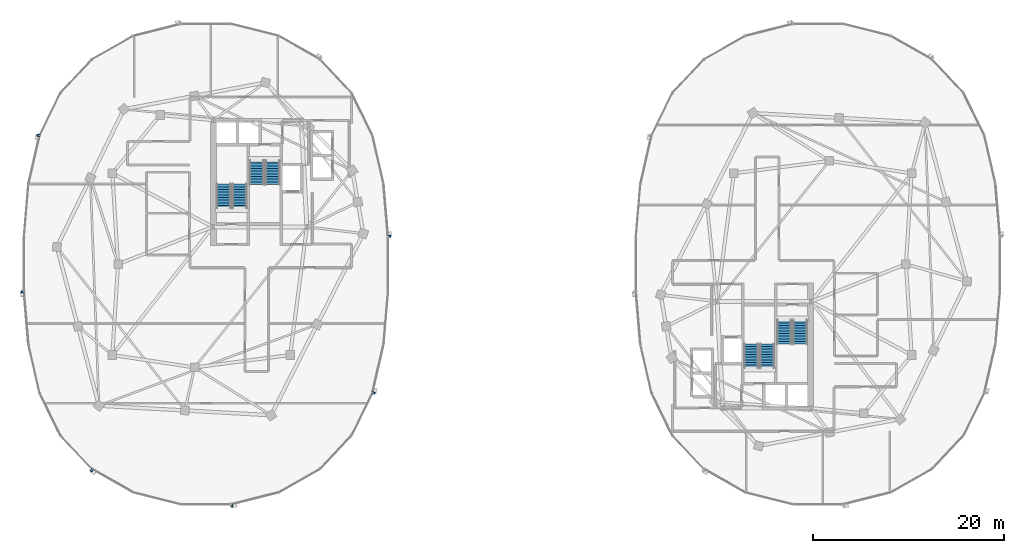
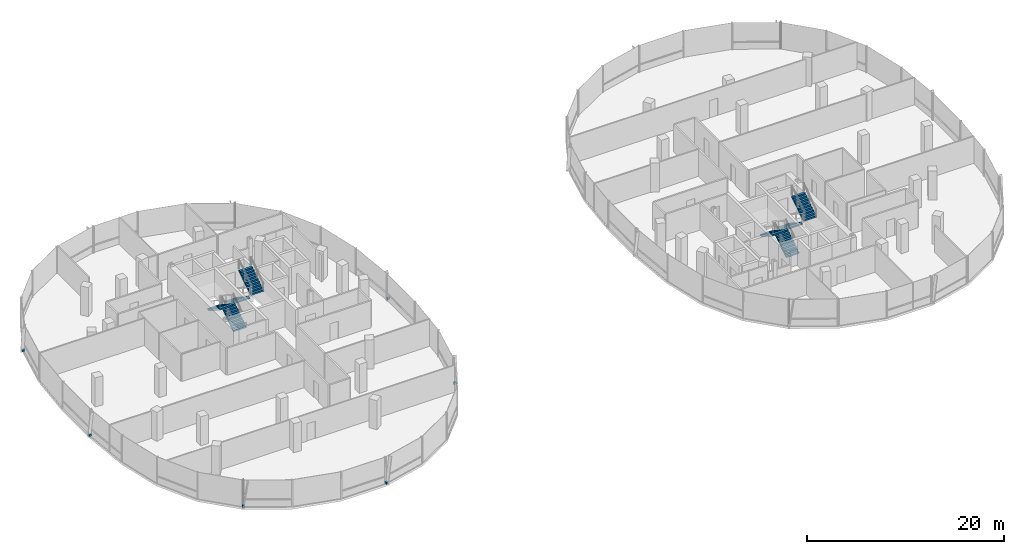
# One storey, part 18 of 25: 8 stair flights, 6 discrete accessories, 4 elements without a shape of their own.
"""IFC4 building model written with IfcOpenShell, lengths in metres."""

import ifcopenshell
import ifcopenshell.guid

model = None  # the IFC model being written
_history = None  # IfcOwnerHistory: only IFC2X3 demands one
_inside = {}  # id of a spatial element -> (the spatial element, [elements in it])
_under = {}  # id of a project, library or spatial element -> (it, [spatial elements below it])
_declared = {}  # id of a project -> (the project, [libraries it declares])
_typed = {}  # id of a type object -> (the type object, [elements of that type])
_made_of = {}  # id of a material, layer set ... -> (it, [elements and type objects made of it])


def new_model(schema):
    """Start an empty IFC model of exactly this schema.

    Asked for "IFC4X3", IfcOpenShell would pick the latest addendum, in which some entities
    have other attributes; the version numbers below select the first issue.
    IFC2X3 requires an IfcOwnerHistory on every rooted entity: one is made here for all.
    """
    global model, _history
    if schema == "IFC4X3":
        model = ifcopenshell.file(schema_version=(4, 3, 0, 0))
    else:
        model = ifcopenshell.file(schema=schema)
    _inside.clear()
    _under.clear()
    _declared.clear()
    _typed.clear()
    _made_of.clear()
    _history = None
    if model.schema == "IFC2X3":
        org = make("IfcOrganization", Name="unknown")
        user = make(
            "IfcPersonAndOrganization",
            ThePerson=make("IfcPerson", FamilyName="unknown"),
            TheOrganization=org,
        )
        app = make(
            "IfcApplication",
            ApplicationDeveloper=org,
            Version="unknown",
            ApplicationFullName="unknown",
            ApplicationIdentifier="unknown",
        )
        _history = make(
            "IfcOwnerHistory",
            OwningUser=user,
            OwningApplication=app,
            ChangeAction="ADDED",
            CreationDate=0,
        )
    return model


def make(cls, **values):
    """One entity of the class cls with the attributes given. An attribute that is None is left unset."""
    return model.create_entity(
        cls, **{name: value for name, value in values.items() if value is not None}
    )


def rooted(cls, **values):
    """An entity with a GlobalId (a new one), such as an element, a storey or a relation."""
    return make(cls, GlobalId=ifcopenshell.guid.new(), OwnerHistory=_history, **values)


def si_unit(unit_type, name, prefix=None):
    """IfcSIUnit, for example si_unit("LENGTHUNIT", "METRE", prefix="MILLI")."""
    return make("IfcSIUnit", UnitType=unit_type, Prefix=prefix, Name=name)


def assignment(units):
    """IfcUnitAssignment: the units of a project."""
    return None if units is None else make("IfcUnitAssignment", Units=units)


def point(xyz):
    """IfcCartesianPoint."""
    return None if xyz is None else make("IfcCartesianPoint", Coordinates=xyz)


def direction(xyz):
    """IfcDirection."""
    return None if xyz is None else make("IfcDirection", DirectionRatios=xyz)


def frame(location, z_axis=None, x_axis=None):
    """IfcAxis2Placement3D, a coordinate frame: its origin and axes. An axis left out is left unset."""
    return make(
        "IfcAxis2Placement3D",
        Location=point(location),
        Axis=direction(z_axis),
        RefDirection=direction(x_axis),
    )


def frame_2d(location, x_axis=None):
    """IfcAxis2Placement2D, a coordinate frame in the plane: its origin and x axis."""
    return make(
        "IfcAxis2Placement2D", Location=point(location), RefDirection=direction(x_axis)
    )


def origin():
    """The frame at (0, 0, 0) with its axes left unset."""
    return frame((0.0, 0.0, 0.0))


def origin_2d():
    """The frame at (0, 0) in the plane with its x axis left unset."""
    return frame_2d((0.0, 0.0))


def place(relative_to, where):
    """IfcLocalPlacement: puts the frame where relative to a parent placement (None: the world)."""
    return make(
        "IfcLocalPlacement", PlacementRelTo=relative_to, RelativePlacement=where
    )


def context(
    kind, dimensions, precision=None, world=None, true_north=None, identifier=None
):
    """IfcGeometricRepresentationContext, for example the 3D "Model" context."""
    return make(
        "IfcGeometricRepresentationContext",
        ContextIdentifier=identifier,
        ContextType=kind,
        CoordinateSpaceDimension=dimensions,
        Precision=precision,
        WorldCoordinateSystem=world,
        TrueNorth=true_north,
    )


def subcontext(parent, identifier, kind, view, scale=None):
    """IfcGeometricRepresentationSubContext, for example "Body" below "Model"."""
    return make(
        "IfcGeometricRepresentationSubContext",
        ContextIdentifier=identifier,
        ContextType=kind,
        ParentContext=parent,
        TargetScale=scale,
        TargetView=view,
    )


def project(units=None, contexts=None):
    """IfcProject with its units and contexts."""
    return rooted(
        "IfcProject",
        Name="project",
        RepresentationContexts=contexts,
        UnitsInContext=assignment(units),
    )


def spatial(cls, under=None, at=None, **own):
    """A site, building, storey or space (cls), placed at a placement, below another one or the project."""
    s = rooted(cls, ObjectPlacement=at, **own)
    if under is not None:
        _under.setdefault(under.id(), (under, []))[1].append(s)
    return s


def polyline(points):
    """IfcPolyline through the points."""
    return make("IfcPolyline", Points=[point(p) for p in points])


def profile(cls, at=None, kind="AREA", **sizes):
    """A parametric profile (cls). Its sizes go by their IFC names, for example OverallWidth=200.0."""
    return make(cls, ProfileType=kind, Position=at, **sizes)


def rectangle(**sizes):
    """IfcRectangleProfileDef."""
    return profile("IfcRectangleProfileDef", **sizes)


def outline(outer, holes=None, kind="AREA"):
    """IfcArbitraryClosedProfileDef: a profile drawn as a closed curve; with holes, ...WithVoids."""
    if holes is None:
        return make("IfcArbitraryClosedProfileDef", ProfileType=kind, OuterCurve=outer)
    return make(
        "IfcArbitraryProfileDefWithVoids",
        ProfileType=kind,
        OuterCurve=outer,
        InnerCurves=holes,
    )


def extrude(swept, where, along, depth):
    """IfcExtrudedAreaSolid: the profile swept, set in the frame where, extruded along a direction by depth."""
    return make(
        "IfcExtrudedAreaSolid",
        SweptArea=swept,
        Position=where,
        ExtrudedDirection=direction(along),
        Depth=depth,
    )


def shape(context_of_items, identifier, shape_type, items):
    """IfcShapeRepresentation: the items that make up one representation, for example the "Body"."""
    return make(
        "IfcShapeRepresentation",
        ContextOfItems=context_of_items,
        RepresentationIdentifier=identifier,
        RepresentationType=shape_type,
        Items=items,
    )


def material(Name=None, Category=None):
    """IfcMaterial."""
    return make("IfcMaterial", Name=Name, Category=Category)


def made_of(thing, what):
    """Note that an element or type object is made of a material, layer set ...; save() writes the relation."""
    if what is not None:
        _made_of.setdefault(what.id(), (what, []))[1].append(thing)
    return thing


def type_object(cls, material=None, **own):
    """A type object (cls), such as IfcWallType, which elements share."""
    return made_of(rooted(cls, **own), material)


def element(
    cls,
    number,
    at=None,
    inside=None,
    cuts=None,
    type_object=None,
    material=None,
    context=None,
    identifier="Body",
    shape_type=None,
    held_by="IfcProductDefinitionShape",
    body=None,
    shapes=None,
    **own,
):
    """One element of the class cls, such as IfcWall. Its Tag is "e" and its number.

    at: its placement. inside: the storey or other place that contains it. cuts: it is an
    opening in that element (IfcRelVoidsElement). A single representation is given by context,
    identifier, shape_type and body (its items); several are given by shapes. held_by: the class
    of the entity that holds the representations. save() writes the other relations.
    """
    e = rooted(cls, Tag="e%d" % number, ObjectPlacement=at, **own)
    if body is not None:
        shapes = [shape(context, identifier, shape_type, body)]
    if shapes is not None:
        e.Representation = make(held_by, Representations=shapes)
    if inside is not None:
        _inside.setdefault(inside.id(), (inside, []))[1].append(e)
    if cuts is not None:
        rooted(
            "IfcRelVoidsElement", RelatingBuildingElement=cuts, RelatedOpeningElement=e
        )
    if type_object is not None:
        _typed.setdefault(type_object.id(), (type_object, []))[1].append(e)
    return made_of(e, material)


def aggregate(whole, parts):
    """IfcRelAggregates: a whole, such as a stair, and the parts it consists of."""
    return rooted("IfcRelAggregates", RelatingObject=whole, RelatedObjects=parts)


def save(model, path):
    """Write the relations noted so far, then the file.

    IfcRelAggregates (storeys below a building ...), IfcRelContainedInSpatialStructure (elements
    in a storey), IfcRelDefinesByType, IfcRelAssociatesMaterial and IfcRelDeclares: one each for
    every whole, place, type object, material and project.
    """
    for whole, parts in _under.values():
        aggregate(whole, parts)
    for where, things in _inside.values():
        rooted(
            "IfcRelContainedInSpatialStructure",
            RelatedElements=things,
            RelatingStructure=where,
        )
    for kind, things in _typed.values():
        rooted("IfcRelDefinesByType", RelatedObjects=things, RelatingType=kind)
    for what, things in _made_of.values():
        rooted("IfcRelAssociatesMaterial", RelatedObjects=things, RelatingMaterial=what)
    for by, libraries in _declared.values():
        rooted("IfcRelDeclares", RelatingContext=by, RelatedDefinitions=libraries)
    model.write(path)


model = new_model("IFC4")

# Units and contexts
model_context = context("Model", 3, precision=1e-05, world=origin(), true_north=direction((0.0, 1.0)))
body_context = subcontext(model_context, "Body", "Model", "MODEL_VIEW")
ifc_project = project(units=[si_unit("LENGTHUNIT", "METRE"), si_unit("AREAUNIT", "SQUARE_METRE"), si_unit("VOLUMEUNIT", "CUBIC_METRE"), si_unit("PLANEANGLEUNIT", "RADIAN"), si_unit("MASSUNIT", "GRAM", prefix="KILO"), si_unit("THERMODYNAMICTEMPERATUREUNIT", "KELVIN"), si_unit("POWERUNIT", "WATT")], contexts=[model_context])

# Site, building, storey
site_placement = place(None, origin())
site = spatial("IfcSite", under=ifc_project, at=site_placement, CompositionType="ELEMENT")
building_placement = place(site_placement, origin())
building = spatial("IfcBuilding", under=site, at=building_placement, Name="Cundina Bronze Exchange", CompositionType="ELEMENT")
storey_placement = place(building_placement, frame((0.0, 0.0, 224.199951171875)))
storey = spatial("IfcBuildingStorey", under=building, at=storey_placement, Name="L59", CompositionType="ELEMENT", Elevation=224.199951171875)

# Stair, stair flights
ifc_material_1 = material(Name="Concrete C40/50", Category="concrete")
stair_type = type_object("IfcStairType", Name="STR-OFF-360", PredefinedType="HALF_TURN_STAIR", material=ifc_material_1)
stair_1_placement = place(storey_placement, origin())
stair_1 = element("IfcStair", 1, at=stair_1_placement, inside=storey, type_object=stair_type, Name="L59 Smokeproof Exit Stair W1", PredefinedType="HALF_TURN_STAIR")
stair_flight_type = type_object("IfcStairFlightType", Name="FLG-OFF-180", PredefinedType="STRAIGHT", material=ifc_material_1)
stair_flight_1_placement = place(storey_placement, frame((-28.489990234375, 5.85009765625, 0.0), z_axis=(0.0, 0.0, 1.0), x_axis=(0.0, 1.0, 0.0)))
stair_flight_1 = element("IfcStairFlight", 2, at=stair_flight_1_placement, type_object=stair_flight_type, Name="ST-W1 flight 1", NumberOfRisers=10, NumberOfTreads=9, PredefinedType="STRAIGHT", RiserHeight=0.18, TreadLength=0.28, context=body_context, shape_type="SweptSolid", body=[
    extrude(outline(polyline([(0.0, 0.0), (0.0, 0.179931640625), (0.280029296875, 0.179931640625), (0.280029296875, 0.360107421875), (0.56005859375, 0.360107421875), (0.56005859375, 0.5400390625), (0.840087890625, 0.5400390625), (0.840087890625, 0.719970703125), (1.1201171875, 0.719970703125), (1.1201171875, 0.89990234375), (1.39990234375, 0.89990234375), (1.39990234375, 1.080078125), (1.679931640625, 1.080078125), (1.679931640625, 1.260009765625), (1.9599609375, 1.260009765625), (1.9599609375, 1.43994140625), (2.239990234375, 1.43994140625), (2.239990234375, 1.6201171875), (2.52001953125, 1.6201171875), (2.52001953125, 1.800048828125), (2.52001953125, 1.44189453125), (0.277099609375, 0.0), (0.0, 0.0)])), frame((0.0, 0.75, 0.0), z_axis=(0.0, -1.0, 0.0), x_axis=(1.0, 0.0, 0.0)), (0.0, 0.0, 1.0), 1.5),
])
stair_flight_2_placement = place(storey_placement, frame((-30.14990234375, 8.3701171875, 1.800048828125), z_axis=(0.0, 0.0, 1.0), x_axis=(0.0, -1.0, 0.0)))
stair_flight_2 = element("IfcStairFlight", 3, at=stair_flight_2_placement, type_object=stair_flight_type, Name="ST-W1 flight 2", NumberOfRisers=10, NumberOfTreads=9, PredefinedType="STRAIGHT", RiserHeight=0.18, TreadLength=0.28, context=body_context, shape_type="SweptSolid", body=[
    extrude(outline(polyline([(0.0, 0.0), (0.0, 0.179931640625), (0.280029296875, 0.179931640625), (0.280029296875, 0.360107421875), (0.56005859375, 0.360107421875), (0.56005859375, 0.5400390625), (0.840087890625, 0.5400390625), (0.840087890625, 0.719970703125), (1.1201171875, 0.719970703125), (1.1201171875, 0.89990234375), (1.39990234375, 0.89990234375), (1.39990234375, 1.080078125), (1.679931640625, 1.080078125), (1.679931640625, 1.260009765625), (1.9599609375, 1.260009765625), (1.9599609375, 1.43994140625), (2.239990234375, 1.43994140625), (2.239990234375, 1.6201171875), (2.52001953125, 1.6201171875), (2.52001953125, 1.800048828125), (2.52001953125, 1.44189453125), (0.277099609375, 0.0), (0.0, 0.0)])), frame((0.0, 0.75, 0.0), z_axis=(0.0, -1.0, 0.0), x_axis=(1.0, 0.0, 0.0)), (0.0, 0.0, 1.0), 1.5),
])
aggregate(stair_1, [stair_flight_1, stair_flight_2])

stair_2_placement = place(storey_placement, origin())
stair_2 = element("IfcStair", 4, at=stair_2_placement, inside=storey, type_object=stair_type, Name="L59 Smokeproof Exit Stair W2", PredefinedType="HALF_TURN_STAIR")
stair_flight_3_placement = place(storey_placement, frame((-26.68994140625, 10.85009765625, 0.0), z_axis=(0.0, 0.0, 1.0), x_axis=(0.0, -1.0, 0.0)))
stair_flight_3 = element("IfcStairFlight", 5, at=stair_flight_3_placement, type_object=stair_flight_type, Name="ST-W2 flight 1", NumberOfRisers=10, NumberOfTreads=9, PredefinedType="STRAIGHT", RiserHeight=0.18, TreadLength=0.28, context=body_context, shape_type="SweptSolid", body=[
    extrude(outline(polyline([(0.0, 0.0), (0.0, 0.179931640625), (0.280029296875, 0.179931640625), (0.280029296875, 0.360107421875), (0.56005859375, 0.360107421875), (0.56005859375, 0.5400390625), (0.840087890625, 0.5400390625), (0.840087890625, 0.719970703125), (1.1201171875, 0.719970703125), (1.1201171875, 0.89990234375), (1.39990234375, 0.89990234375), (1.39990234375, 1.080078125), (1.679931640625, 1.080078125), (1.679931640625, 1.260009765625), (1.9599609375, 1.260009765625), (1.9599609375, 1.43994140625), (2.239990234375, 1.43994140625), (2.239990234375, 1.6201171875), (2.52001953125, 1.6201171875), (2.52001953125, 1.800048828125), (2.52001953125, 1.44189453125), (0.277099609375, 0.0), (0.0, 0.0)])), frame((0.0, 0.75, 0.0), z_axis=(0.0, -1.0, 0.0), x_axis=(1.0, 0.0, 0.0)), (0.0, 0.0, 1.0), 1.5),
])
stair_flight_4_placement = place(storey_placement, frame((-25.030029296875, 8.330078125, 1.800048828125), z_axis=(0.0, 0.0, 1.0), x_axis=(0.0, 1.0, 0.0)))
stair_flight_4 = element("IfcStairFlight", 6, at=stair_flight_4_placement, type_object=stair_flight_type, Name="ST-W2 flight 2", NumberOfRisers=10, NumberOfTreads=9, PredefinedType="STRAIGHT", RiserHeight=0.18, TreadLength=0.28, context=body_context, shape_type="SweptSolid", body=[
    extrude(outline(polyline([(0.0, 0.0), (0.0, 0.179931640625), (0.280029296875, 0.179931640625), (0.280029296875, 0.360107421875), (0.56005859375, 0.360107421875), (0.56005859375, 0.5400390625), (0.840087890625, 0.5400390625), (0.840087890625, 0.719970703125), (1.1201171875, 0.719970703125), (1.1201171875, 0.89990234375), (1.39990234375, 0.89990234375), (1.39990234375, 1.080078125), (1.679931640625, 1.080078125), (1.679931640625, 1.260009765625), (1.9599609375, 1.260009765625), (1.9599609375, 1.43994140625), (2.239990234375, 1.43994140625), (2.239990234375, 1.6201171875), (2.52001953125, 1.6201171875), (2.52001953125, 1.800048828125), (2.52001953125, 1.44189453125), (0.277099609375, 0.0), (0.0, 0.0)])), frame((0.0, 0.75, 0.0), z_axis=(0.0, -1.0, 0.0), x_axis=(1.0, 0.0, 0.0)), (0.0, 0.0, 1.0), 1.5),
])
aggregate(stair_2, [stair_flight_3, stair_flight_4])

stair_3_placement = place(storey_placement, origin())
stair_3 = element("IfcStair", 7, at=stair_3_placement, inside=storey, type_object=stair_type, Name="L59 Smokeproof Exit Stair E1", PredefinedType="HALF_TURN_STAIR")
stair_flight_5_placement = place(storey_placement, frame((28.489990234375, -5.85009765625, 0.0), z_axis=(0.0, 0.0, 1.0), x_axis=(0.0, -1.0, 0.0)))
stair_flight_5 = element("IfcStairFlight", 8, at=stair_flight_5_placement, type_object=stair_flight_type, Name="ST-E1 flight 1", NumberOfRisers=10, NumberOfTreads=9, PredefinedType="STRAIGHT", RiserHeight=0.18, TreadLength=0.28, context=body_context, shape_type="SweptSolid", body=[
    extrude(outline(polyline([(0.0, 0.0), (0.0, 0.179931640625), (0.280029296875, 0.179931640625), (0.280029296875, 0.360107421875), (0.56005859375, 0.360107421875), (0.56005859375, 0.5400390625), (0.840087890625, 0.5400390625), (0.840087890625, 0.719970703125), (1.1201171875, 0.719970703125), (1.1201171875, 0.89990234375), (1.39990234375, 0.89990234375), (1.39990234375, 1.080078125), (1.679931640625, 1.080078125), (1.679931640625, 1.260009765625), (1.9599609375, 1.260009765625), (1.9599609375, 1.43994140625), (2.239990234375, 1.43994140625), (2.239990234375, 1.6201171875), (2.52001953125, 1.6201171875), (2.52001953125, 1.800048828125), (2.52001953125, 1.44189453125), (0.277099609375, 0.0), (0.0, 0.0)])), frame((0.0, 0.75, 0.0), z_axis=(0.0, -1.0, 0.0), x_axis=(1.0, 0.0, 0.0)), (0.0, 0.0, 1.0), 1.5),
])
stair_flight_6_placement = place(storey_placement, frame((30.14990234375, -8.3701171875, 1.800048828125), z_axis=(0.0, 0.0, 1.0), x_axis=(0.0, 1.0, 0.0)))
stair_flight_6 = element("IfcStairFlight", 9, at=stair_flight_6_placement, type_object=stair_flight_type, Name="ST-E1 flight 2", NumberOfRisers=10, NumberOfTreads=9, PredefinedType="STRAIGHT", RiserHeight=0.18, TreadLength=0.28, context=body_context, shape_type="SweptSolid", body=[
    extrude(outline(polyline([(0.0, 0.0), (0.0, 0.179931640625), (0.280029296875, 0.179931640625), (0.280029296875, 0.360107421875), (0.56005859375, 0.360107421875), (0.56005859375, 0.5400390625), (0.840087890625, 0.5400390625), (0.840087890625, 0.719970703125), (1.1201171875, 0.719970703125), (1.1201171875, 0.89990234375), (1.39990234375, 0.89990234375), (1.39990234375, 1.080078125), (1.679931640625, 1.080078125), (1.679931640625, 1.260009765625), (1.9599609375, 1.260009765625), (1.9599609375, 1.43994140625), (2.239990234375, 1.43994140625), (2.239990234375, 1.6201171875), (2.52001953125, 1.6201171875), (2.52001953125, 1.800048828125), (2.52001953125, 1.44189453125), (0.277099609375, 0.0), (0.0, 0.0)])), frame((0.0, 0.75, 0.0), z_axis=(0.0, -1.0, 0.0), x_axis=(1.0, 0.0, 0.0)), (0.0, 0.0, 1.0), 1.5),
])
aggregate(stair_3, [stair_flight_5, stair_flight_6])

stair_4_placement = place(storey_placement, origin())
stair_4 = element("IfcStair", 10, at=stair_4_placement, inside=storey, type_object=stair_type, Name="L59 Smokeproof Exit Stair E2", PredefinedType="HALF_TURN_STAIR")
stair_flight_7_placement = place(storey_placement, frame((26.68994140625, -10.85009765625, 0.0), z_axis=(0.0, 0.0, 1.0), x_axis=(0.0, 1.0, 0.0)))
stair_flight_7 = element("IfcStairFlight", 11, at=stair_flight_7_placement, type_object=stair_flight_type, Name="ST-E2 flight 1", NumberOfRisers=10, NumberOfTreads=9, PredefinedType="STRAIGHT", RiserHeight=0.18, TreadLength=0.28, context=body_context, shape_type="SweptSolid", body=[
    extrude(outline(polyline([(0.0, 0.0), (0.0, 0.179931640625), (0.280029296875, 0.179931640625), (0.280029296875, 0.360107421875), (0.56005859375, 0.360107421875), (0.56005859375, 0.5400390625), (0.840087890625, 0.5400390625), (0.840087890625, 0.719970703125), (1.1201171875, 0.719970703125), (1.1201171875, 0.89990234375), (1.39990234375, 0.89990234375), (1.39990234375, 1.080078125), (1.679931640625, 1.080078125), (1.679931640625, 1.260009765625), (1.9599609375, 1.260009765625), (1.9599609375, 1.43994140625), (2.239990234375, 1.43994140625), (2.239990234375, 1.6201171875), (2.52001953125, 1.6201171875), (2.52001953125, 1.800048828125), (2.52001953125, 1.44189453125), (0.277099609375, 0.0), (0.0, 0.0)])), frame((0.0, 0.75, 0.0), z_axis=(0.0, -1.0, 0.0), x_axis=(1.0, 0.0, 0.0)), (0.0, 0.0, 1.0), 1.5),
])
stair_flight_8_placement = place(storey_placement, frame((25.030029296875, -8.330078125, 1.800048828125), z_axis=(0.0, 0.0, 1.0), x_axis=(0.0, -1.0, 0.0)))
stair_flight_8 = element("IfcStairFlight", 12, at=stair_flight_8_placement, type_object=stair_flight_type, Name="ST-E2 flight 2", NumberOfRisers=10, NumberOfTreads=9, PredefinedType="STRAIGHT", RiserHeight=0.18, TreadLength=0.28, context=body_context, shape_type="SweptSolid", body=[
    extrude(outline(polyline([(0.0, 0.0), (0.0, 0.179931640625), (0.280029296875, 0.179931640625), (0.280029296875, 0.360107421875), (0.56005859375, 0.360107421875), (0.56005859375, 0.5400390625), (0.840087890625, 0.5400390625), (0.840087890625, 0.719970703125), (1.1201171875, 0.719970703125), (1.1201171875, 0.89990234375), (1.39990234375, 0.89990234375), (1.39990234375, 1.080078125), (1.679931640625, 1.080078125), (1.679931640625, 1.260009765625), (1.9599609375, 1.260009765625), (1.9599609375, 1.43994140625), (2.239990234375, 1.43994140625), (2.239990234375, 1.6201171875), (2.52001953125, 1.6201171875), (2.52001953125, 1.800048828125), (2.52001953125, 1.44189453125), (0.277099609375, 0.0), (0.0, 0.0)])), frame((0.0, 0.75, 0.0), z_axis=(0.0, -1.0, 0.0), x_axis=(1.0, 0.0, 0.0)), (0.0, 0.0, 1.0), 1.5),
])
aggregate(stair_4, [stair_flight_7, stair_flight_8])

# Discrete accessories
ifc_material_2 = material(Name="Anodised Bronze Aluminium 6063-T6", Category="aluminium")
discrete_accessory_type = type_object("IfcDiscreteAccessoryType", Name="ACC-BRK-FIN", PredefinedType="BRACKET", material=ifc_material_2)
for number, where, z_axis, x_axis, name in (
    (13, (-12.84521484375, 2.893798828125, 0.10009765625), (0.0, 0.0, 1.0), (-0.083747411454, 0.996487015006, 0.0), "L59 Fin Support Bracket 1"),
    (14, (-49.529541015625, 13.468505859375, 0.10009765625), (0.0, 0.0, 1.0), (-0.223284141459, -0.974753400698, 0.0), "L59 Fin Support Bracket 5"),
    (15, (-51.15478515625, -2.893798828125, 0.10009765625), (0.0, 0.0, 1.0), (0.083747411454, -0.996487015006, 0.0), "L59 Fin Support Bracket 1"),
    (16, (-43.961181640625, -21.539794921875, 0.10009765625), (0.0, 0.0, 1.0), (0.869572506985, -0.493805280547, 0.0), "L59 Fin Support Bracket 5"),
    (17, (-29.321044921875, -25.23779296875, 0.10009765625), (0.0, 0.0, 1.0), (0.969731542251, 0.244173577528, 0.0), "L59 Fin Support Bracket 1"),
    (18, (-14.470458984375, -13.468505859375, 0.10009765625), (0.0, 0.0, 1.0), (0.223284141459, 0.974753400698, 0.0), "L59 Fin Support Bracket 5"),
):
    element("IfcDiscreteAccessory", number, at=place(storey_placement, frame(where, z_axis=z_axis, x_axis=x_axis)), inside=storey, type_object=discrete_accessory_type, Name=name, PredefinedType="BRACKET", context=body_context, shape_type="SweptSolid", body=[
        extrude(rectangle(XDim=0.219970703125, YDim=0.320068359375, at=origin_2d()), origin(), (0.0, 0.0, 1.0), 0.239990234375),
    ])

save(model, "model.ifc")
